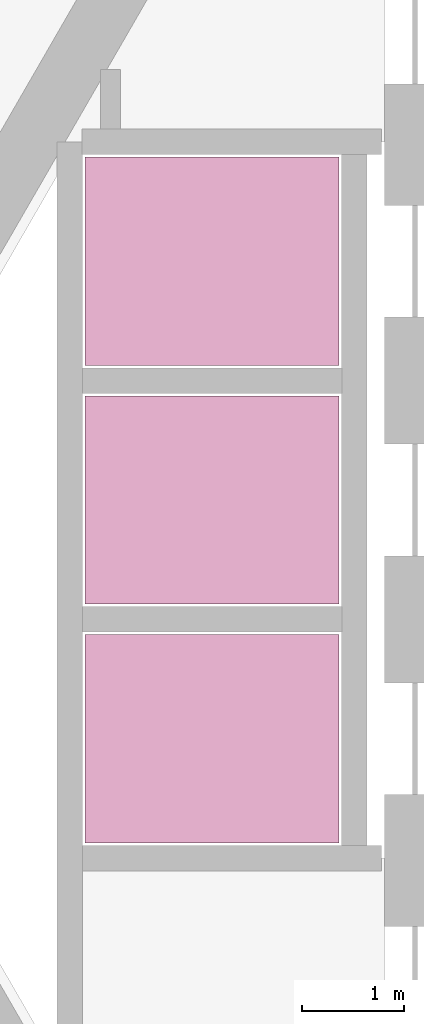
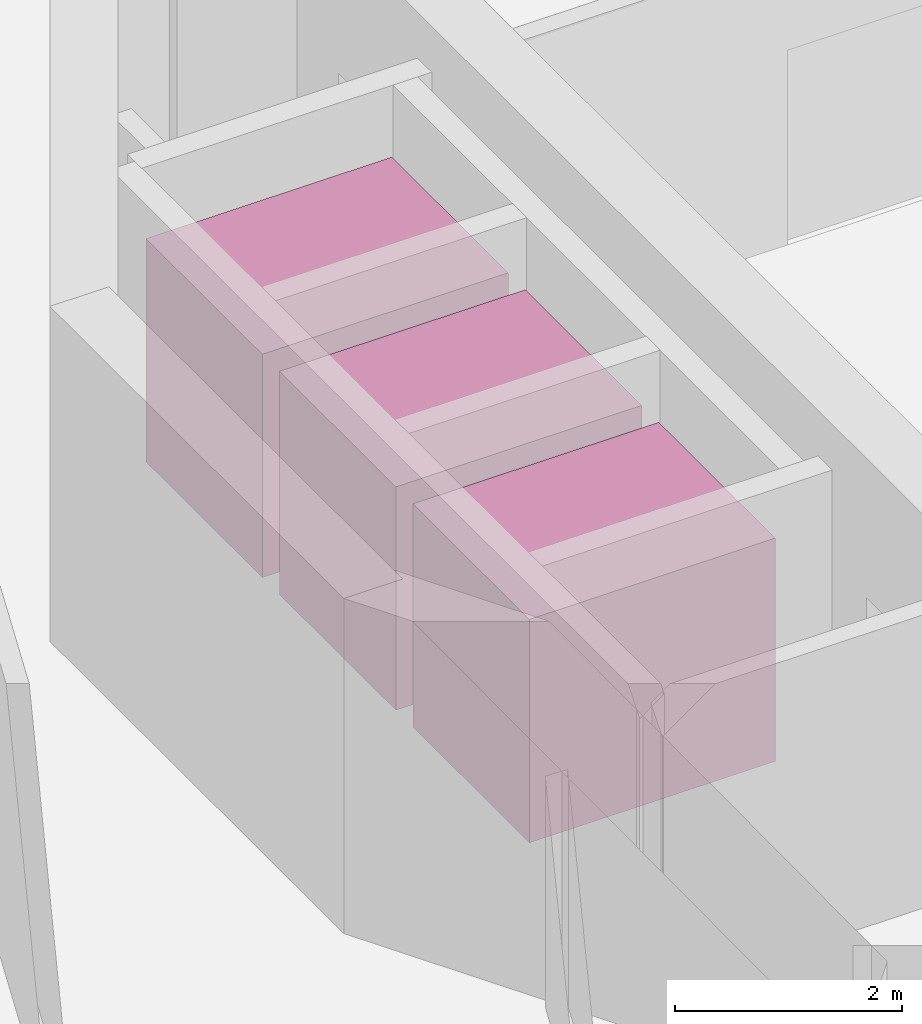
# One storey, part 18 of 19: 3 transport elements.
"""IFC4 building model written with IfcOpenShell, lengths in metres."""

from ifc_helpers import new_model, si_unit, direction, frame, origin, origin_2d, place, context, subcontext, project, spatial, rectangle, extrude, material, type_object, element, save


model = new_model("IFC4")

# Units and contexts
model_context = context("Model", 3, precision=1e-05, world=origin(), true_north=direction((0.0, 1.0)))
body_context = subcontext(model_context, "Body", "Model", "MODEL_VIEW")
ifc_project = project(units=[si_unit("LENGTHUNIT", "METRE"), si_unit("AREAUNIT", "SQUARE_METRE"), si_unit("VOLUMEUNIT", "CUBIC_METRE"), si_unit("PLANEANGLEUNIT", "RADIAN"), si_unit("MASSUNIT", "GRAM", prefix="KILO")], contexts=[model_context])

# Site, building, storey
site_placement = place(None, origin())
site = spatial("IfcSite", under=ifc_project, at=site_placement, CompositionType="ELEMENT")
building_placement = place(site_placement, origin())
building = spatial("IfcBuilding", under=site, at=building_placement, Name="Cantera Rosa Tower", CompositionType="ELEMENT")
storey_placement = place(building_placement, frame((0.0, 0.0, 342.10009765625)))
storey = spatial("IfcBuildingStorey", under=building, at=storey_placement, Name="L77", CompositionType="ELEMENT", Elevation=342.10009765625)

# Transport elements
ifc_material = material(Name="Stainless steel", Category="steel")
transport_element_type = type_object("IfcTransportElementType", Name="LIFT PASSENGER 1600 KG", PredefinedType="ELEVATOR", material=ifc_material)
for number, where, z_axis, x_axis, name in (
    (1, (-6.300048828125, -1.175048828125, 0.0), (0.0, 0.0, 1.0), (1.0, 0.0, 0.0), "LIFT H1"),
    (2, (-6.300048828125, 1.175048828125, 0.0), (0.0, 0.0, 1.0), (1.0, 0.0, 0.0), "LIFT H2"),
    (3, (-6.300048828125, 3.52490234375, 0.0), (0.0, 0.0, 1.0), (1.0, 0.0, 0.0), "LIFT H3"),
):
    element("IfcTransportElement", number, at=place(storey_placement, frame(where, z_axis=z_axis, x_axis=x_axis)), inside=storey, type_object=transport_element_type, Name=name, PredefinedType="ELEVATOR", context=body_context, shape_type="SweptSolid", body=[
        extrude(rectangle(XDim=2.5, YDim=2.050048828125, at=origin_2d()), origin(), (0.0, 0.0, 1.0), 2.39990234375),
    ])

save(model, "model.ifc")
